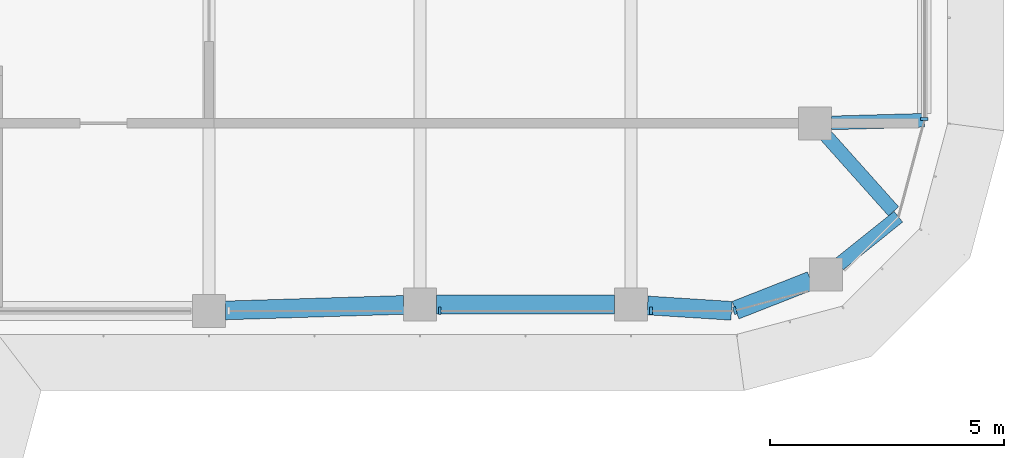
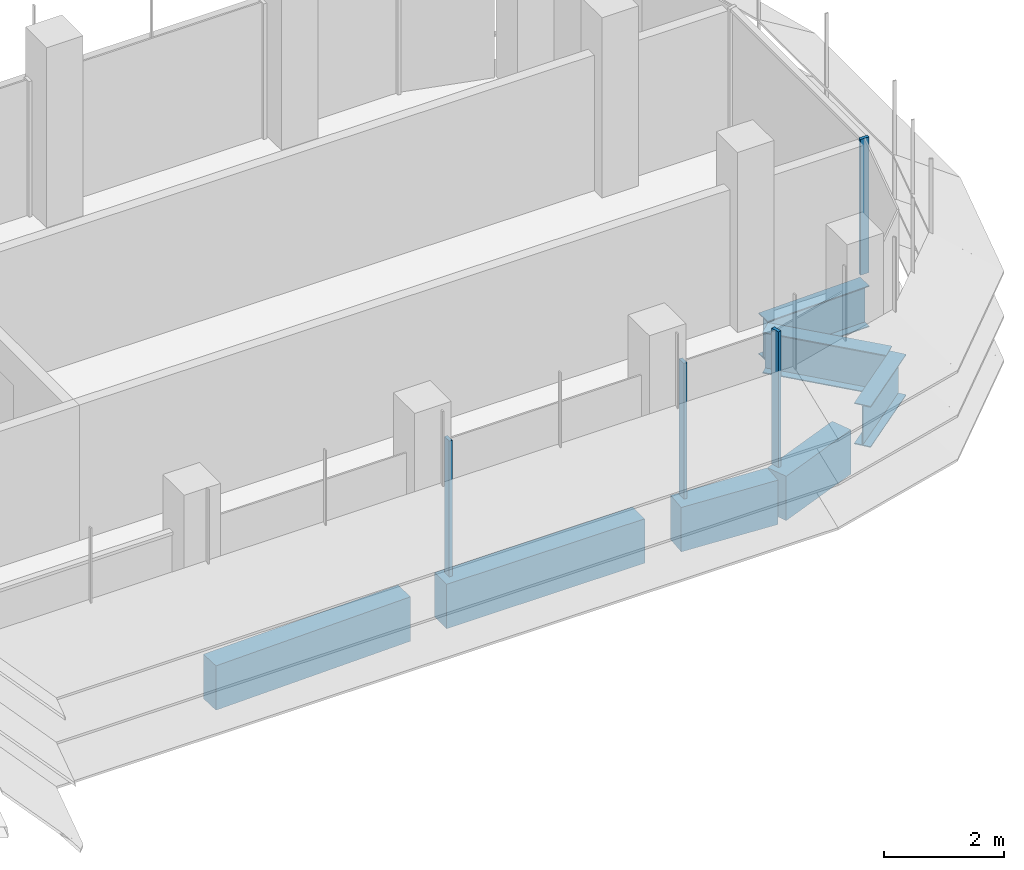
# One storey, part 5 of 19: 7 beams, 4 members, 3 elements without a shape of their own.
"""IFC4 building model written with IfcOpenShell, lengths in metres."""

from ifc_helpers import new_model, si_unit, direction, frame, origin, origin_2d, place, context, subcontext, project, spatial, polyline, rectangle, i_section, outline, extrude, source, transform, mapped, material, material_profile, profile_set, type_object, element, aggregate, save


model = new_model("IFC4")

# Units and contexts
model_context = context("Model", 3, precision=1e-05, world=origin(), true_north=direction((0.0, 1.0)))
body_context = subcontext(model_context, "Body", "Model", "MODEL_VIEW")
ifc_project = project(units=[si_unit("LENGTHUNIT", "METRE"), si_unit("AREAUNIT", "SQUARE_METRE"), si_unit("VOLUMEUNIT", "CUBIC_METRE"), si_unit("PLANEANGLEUNIT", "RADIAN"), si_unit("MASSUNIT", "GRAM", prefix="KILO")], contexts=[model_context])

# Site, building, storey
site_placement = place(None, origin())
site = spatial("IfcSite", under=ifc_project, at=site_placement, CompositionType="ELEMENT")
building_placement = place(site_placement, origin())
building = spatial("IfcBuilding", under=site, at=building_placement, Name="Zarbagh Exchange Tower", CompositionType="ELEMENT")
storey_placement = place(building_placement, frame((0.0, 0.0, 241.0)))
storey = spatial("IfcBuildingStorey", under=building, at=storey_placement, Name="L59", CompositionType="ELEMENT", Elevation=241.0)

# Beams
ifc_material_1 = material(Name="Steel ASTM A992 Gr 50", Category="steel")
ifc_material_profile_1 = material_profile(ifc_material_1, i_section(OverallWidth=0.2919921875, OverallDepth=0.835693359375, WebThickness=0.013916015625, FlangeThickness=0.018798828125, at=origin_2d()), Name="W33X118")
ifc_profile_set_1 = profile_set([ifc_material_profile_1], Name="Steel ASTM A992 Gr 50")
beam_type_1 = type_object("IfcBeamType", Name="Floor girder W33X118", PredefinedType="BEAM", material=ifc_profile_set_1)
beam_1_placement = place(storey_placement, frame((31.0, -2.18408203125, -0.56787109375), z_axis=(-0.999601581355, -0.028225494714, 0.0), x_axis=(0.028225494714, -0.999601581355, 0.0)))
element("IfcBeam", 1, at=beam_1_placement, inside=storey, type_object=beam_type_1, Name="Steel girder", PredefinedType="BEAM", context=body_context, shape_type="SweptSolid", body=[
    extrude(i_section(OverallWidth=0.2919921875, OverallDepth=0.835693359375, WebThickness=0.013916015625, FlangeThickness=0.018798828125, at=origin_2d()), origin(), (0.0, 0.0, 1.0), 1.980712890625),
])
beam_2_placement = place(storey_placement, frame((28.9033203125, -2.510986328125, -0.56787109375), z_axis=(0.666194955403, -0.745777635355, 0.0), x_axis=(0.745777635355, 0.666194955403, 0.0)))
element("IfcBeam", 2, at=beam_2_placement, inside=storey, type_object=beam_type_1, Name="Steel girder", PredefinedType="BEAM", context=body_context, shape_type="SweptSolid", body=[
    extrude(i_section(OverallWidth=0.2919921875, OverallDepth=0.835693359375, WebThickness=0.013916015625, FlangeThickness=0.018798828125, at=origin_2d()), origin(), (0.0, 0.0, 1.0), 2.165771484375),
])
beam_3_placement = place(storey_placement, frame((30.44873046875, -4.2412109375, -0.56787109375), z_axis=(-0.780619385558, -0.625006699877, 0.0), x_axis=(0.625006699877, -0.780619385558, 0.0)))
element("IfcBeam", 3, at=beam_3_placement, inside=storey, type_object=beam_type_1, Name="Steel girder", PredefinedType="BEAM", context=body_context, shape_type="SweptSolid", body=[
    extrude(i_section(OverallWidth=0.2919921875, OverallDepth=0.835693359375, WebThickness=0.013916015625, FlangeThickness=0.018798828125, at=origin_2d()), origin(), (0.0, 0.0, 1.0), 1.623779296875),
])
ifc_material_2 = material(Name="Concrete C50/60", Category="concrete")
ifc_material_profile_2 = material_profile(ifc_material_2, rectangle(XDim=0.39990234375, YDim=0.89990234375, at=origin_2d()), Name="RC spandrel beam 400 x 900 C50/60")
ifc_profile_set_2 = profile_set([ifc_material_profile_2], Name="Concrete C50/60")
beam_type_2 = type_object("IfcBeamType", Name="RC spandrel beam 400 x 900 C50/60", PredefinedType="SPANDREL", material=ifc_profile_set_2)
beam_4_placement = place(storey_placement, frame((28.582275390625, -5.602783203125, -0.60009765625), z_axis=(-0.930818525178, -0.365481700207, 0.0), x_axis=(0.365481700207, -0.930818525178, 0.0)))
element("IfcBeam", 4, at=beam_4_placement, inside=storey, type_object=beam_type_2, Name="RC spandrel beam", PredefinedType="SPANDREL", context=body_context, shape_type="SweptSolid", body=[
    extrude(rectangle(XDim=0.39990234375, YDim=0.89990234375, at=origin_2d()), origin(), (0.0, 0.0, 1.0), 1.72607421875),
])
beam_5_placement = place(storey_placement, frame((26.8896484375, -6.247314453125, -0.60009765625), z_axis=(-0.997943601797, 0.064098109429, 0.0), x_axis=(-0.064098109429, -0.997943601797, 0.0)))
element("IfcBeam", 5, at=beam_5_placement, inside=storey, type_object=beam_type_2, Name="RC spandrel beam", PredefinedType="SPANDREL", context=body_context, shape_type="SweptSolid", body=[
    extrude(rectangle(XDim=0.39990234375, YDim=0.89990234375, at=origin_2d()), origin(), (0.0, 0.0, 1.0), 1.7939453125),
])
beam_6_placement = place(storey_placement, frame((24.39990234375, -6.110107421875, -0.60009765625), z_axis=(-1.0, 0.0, 0.0), x_axis=(0.0, -1.0, 0.0)))
element("IfcBeam", 6, at=beam_6_placement, inside=storey, type_object=beam_type_2, Name="RC spandrel beam", PredefinedType="SPANDREL", context=body_context, shape_type="SweptSolid", body=[
    extrude(rectangle(XDim=0.39990234375, YDim=0.89990234375, at=origin_2d()), origin(), (0.0, 0.0, 1.0), 3.7998046875),
])
beam_7_placement = place(storey_placement, frame((19.900146484375, -6.120849609375, -0.60009765625), z_axis=(-0.999516950199, -0.031078389046, 0.0), x_axis=(0.031078389046, -0.999516950199, 0.0)))
element("IfcBeam", 7, at=beam_7_placement, inside=storey, type_object=beam_type_2, Name="RC spandrel beam", PredefinedType="SPANDREL", context=body_context, shape_type="SweptSolid", body=[
    extrude(rectangle(XDim=0.39990234375, YDim=0.89990234375, at=origin_2d()), origin(), (0.0, 0.0, 1.0), 3.80224609375),
])

# Curtain wall, members
ifc_material_3 = material(Name="Anodised aluminium frame and glazing", Category="aluminium")
curtain_wall_type = type_object("IfcCurtainWallType", Name="CWB Ribbon glazing, upper zones", PredefinedType="NOTDEFINED", material=ifc_material_3)
curtain_wall_1_placement = place(storey_placement, origin())
curtain_wall_1 = element("IfcCurtainWall", 8, at=curtain_wall_1_placement, inside=storey, type_object=curtain_wall_type, Name="CWB08 curtain wall", PredefinedType="NOTDEFINED")
ifc_material_4 = material(Name="Anodised aluminium frame", Category="aluminium")
member_type = type_object("IfcMemberType", Name="MUB Mullion, anodised aluminium frame", PredefinedType="MULLION", material=ifc_material_4)
shared_shape = source(origin(), body_context, "Body", "SweptSolid", [
    extrude(outline(polyline([(0.0, -0.080078125), (0.06005859375, -0.080078125), (0.06005859375, 0.080078125), (0.0, 0.080078125), (0.0, -0.080078125)])), origin(), (0.0, 0.0, 1.0), 2.75),
])
placement = place(storey_placement, origin())
member_1 = element("IfcMember", 9, at=placement, type_object=member_type, Name="CWB08 mullion 3.1", PredefinedType="MULLION", context=body_context, shape_type="MappedRepresentation", body=[
    mapped(shared_shape, transform((20.64013671875, -6.25, 0.0), x_axis=(1.0, 0.0, 0.0), y_axis=(0.0, 1.0, 0.0), z_axis=(0.0, 0.0, 1.0))),
])
member_2 = element("IfcMember", 10, at=placement, type_object=member_type, Name="CWB08 mullion 4.1", PredefinedType="MULLION", context=body_context, shape_type="MappedRepresentation", body=[
    mapped(shared_shape, transform((25.14013671875, -6.25, 0.0), x_axis=(1.0, 0.0, 0.0), y_axis=(0.0, 1.0, 0.0), z_axis=(0.0, 0.0, 1.0))),
])
aggregate(curtain_wall_1, [member_1, member_2])

# Curtain wall, member
curtain_wall_2_placement = place(storey_placement, origin())
curtain_wall_2 = element("IfcCurtainWall", 11, at=curtain_wall_2_placement, inside=storey, type_object=curtain_wall_type, Name="CWB09 curtain wall", PredefinedType="NOTDEFINED")
member_3 = element("IfcMember", 12, at=placement, type_object=member_type, Name="CWB09 mullion 1.1", PredefinedType="MULLION", context=body_context, shape_type="MappedRepresentation", body=[
    mapped(shared_shape, transform((26.93408203125, -6.25, 0.0), x_axis=(0.965924289636, 0.258824779902, 0.0), y_axis=(-0.258824779902, 0.965924289636, 0.0), z_axis=(0.0, 0.0, 1.0))),
])
aggregate(curtain_wall_2, [member_3])

curtain_wall_3_placement = place(storey_placement, origin())
curtain_wall_3 = element("IfcCurtainWall", 13, at=curtain_wall_3_placement, inside=storey, type_object=curtain_wall_type, Name="CWB12 curtain wall", PredefinedType="NOTDEFINED")
member_4 = element("IfcMember", 14, at=placement, type_object=member_type, Name="CWB12 mullion 1.1", PredefinedType="MULLION", context=body_context, shape_type="MappedRepresentation", body=[
    mapped(shared_shape, transform((31.0, -2.18408203125, 0.0), x_axis=(0.0, 1.0, 0.0), y_axis=(-1.0, 0.0, 0.0), z_axis=(0.0, 0.0, 1.0))),
])
aggregate(curtain_wall_3, [member_4])

save(model, "model.ifc")
